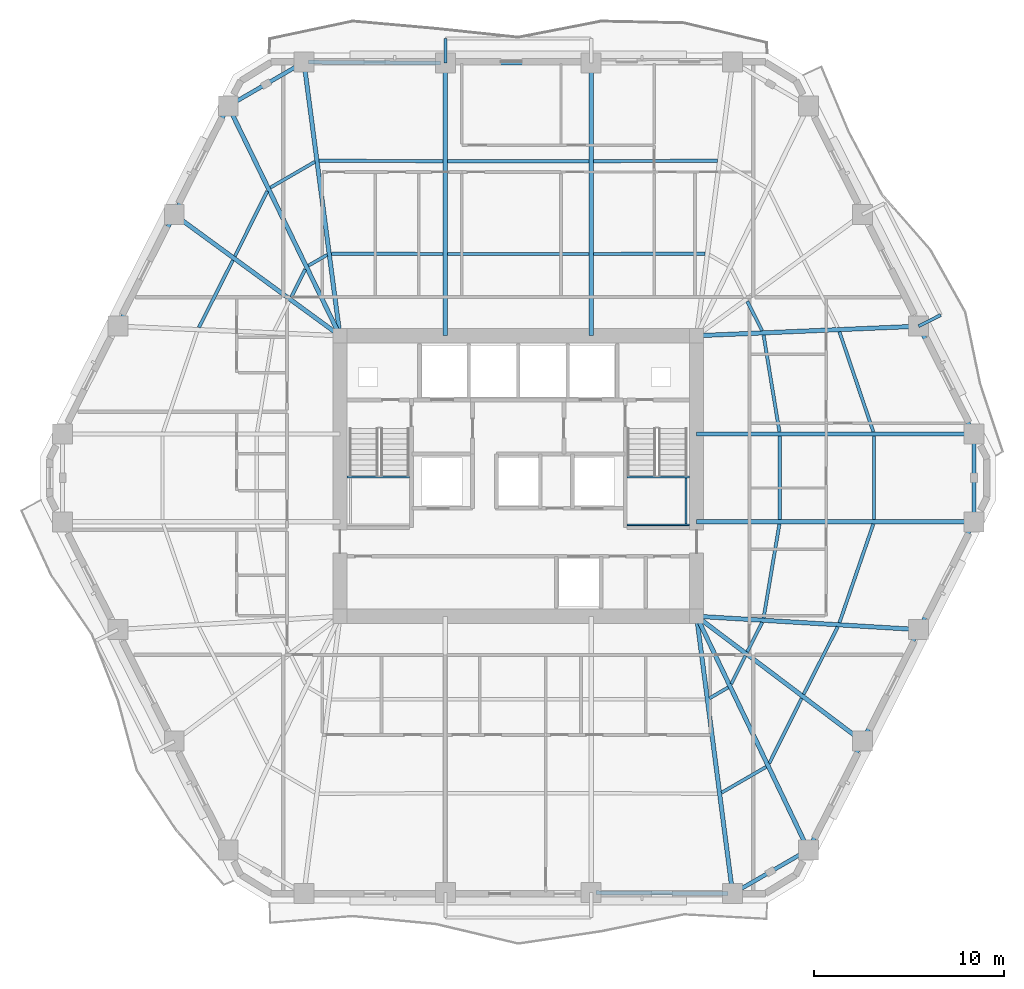
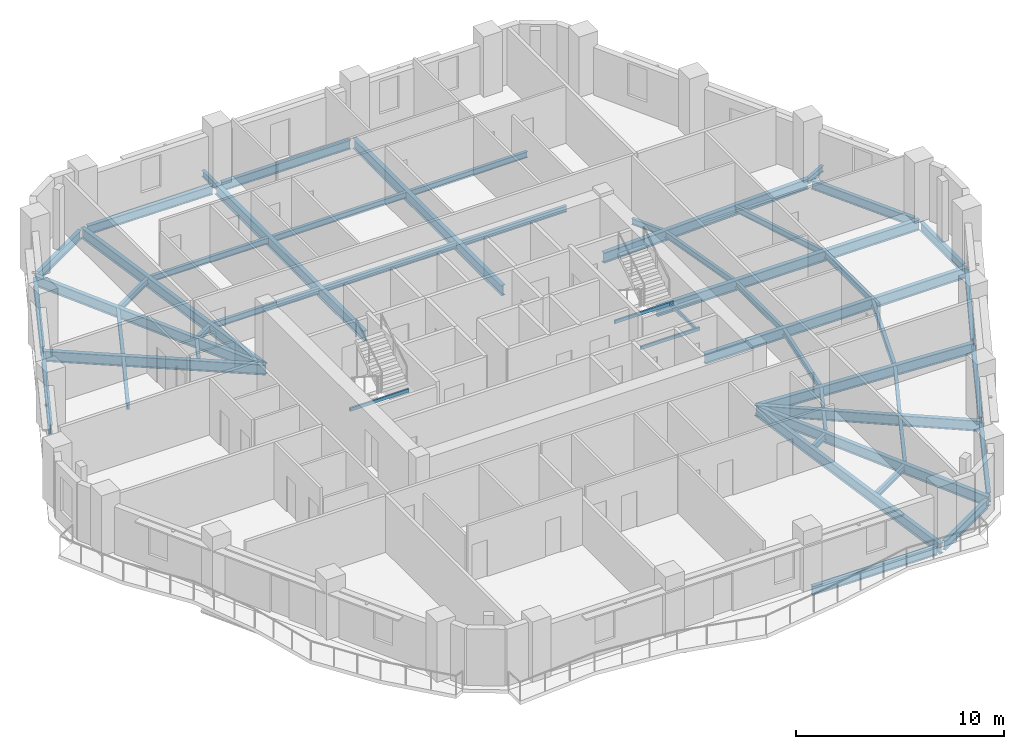
# One storey, part 2 of 12: 54 beams.
"""IFC4 building model written with IfcOpenShell, lengths in metres."""

import ifcopenshell
import ifcopenshell.guid

model = None  # the IFC model being written
_history = None  # IfcOwnerHistory: only IFC2X3 demands one
_inside = {}  # id of a spatial element -> (the spatial element, [elements in it])
_under = {}  # id of a project, library or spatial element -> (it, [spatial elements below it])
_declared = {}  # id of a project -> (the project, [libraries it declares])
_typed = {}  # id of a type object -> (the type object, [elements of that type])
_made_of = {}  # id of a material, layer set ... -> (it, [elements and type objects made of it])


def new_model(schema):
    """Start an empty IFC model of exactly this schema.

    Asked for "IFC4X3", IfcOpenShell would pick the latest addendum, in which some entities
    have other attributes; the version numbers below select the first issue.
    IFC2X3 requires an IfcOwnerHistory on every rooted entity: one is made here for all.
    """
    global model, _history
    if schema == "IFC4X3":
        model = ifcopenshell.file(schema_version=(4, 3, 0, 0))
    else:
        model = ifcopenshell.file(schema=schema)
    _inside.clear()
    _under.clear()
    _declared.clear()
    _typed.clear()
    _made_of.clear()
    _history = None
    if model.schema == "IFC2X3":
        org = make("IfcOrganization", Name="unknown")
        user = make(
            "IfcPersonAndOrganization",
            ThePerson=make("IfcPerson", FamilyName="unknown"),
            TheOrganization=org,
        )
        app = make(
            "IfcApplication",
            ApplicationDeveloper=org,
            Version="unknown",
            ApplicationFullName="unknown",
            ApplicationIdentifier="unknown",
        )
        _history = make(
            "IfcOwnerHistory",
            OwningUser=user,
            OwningApplication=app,
            ChangeAction="ADDED",
            CreationDate=0,
        )
    return model


def make(cls, **values):
    """One entity of the class cls with the attributes given. An attribute that is None is left unset."""
    return model.create_entity(
        cls, **{name: value for name, value in values.items() if value is not None}
    )


def rooted(cls, **values):
    """An entity with a GlobalId (a new one), such as an element, a storey or a relation."""
    return make(cls, GlobalId=ifcopenshell.guid.new(), OwnerHistory=_history, **values)


def si_unit(unit_type, name, prefix=None):
    """IfcSIUnit, for example si_unit("LENGTHUNIT", "METRE", prefix="MILLI")."""
    return make("IfcSIUnit", UnitType=unit_type, Prefix=prefix, Name=name)


def assignment(units):
    """IfcUnitAssignment: the units of a project."""
    return None if units is None else make("IfcUnitAssignment", Units=units)


def point(xyz):
    """IfcCartesianPoint."""
    return None if xyz is None else make("IfcCartesianPoint", Coordinates=xyz)


def direction(xyz):
    """IfcDirection."""
    return None if xyz is None else make("IfcDirection", DirectionRatios=xyz)


def frame(location, z_axis=None, x_axis=None):
    """IfcAxis2Placement3D, a coordinate frame: its origin and axes. An axis left out is left unset."""
    return make(
        "IfcAxis2Placement3D",
        Location=point(location),
        Axis=direction(z_axis),
        RefDirection=direction(x_axis),
    )


def frame_2d(location, x_axis=None):
    """IfcAxis2Placement2D, a coordinate frame in the plane: its origin and x axis."""
    return make(
        "IfcAxis2Placement2D", Location=point(location), RefDirection=direction(x_axis)
    )


def origin():
    """The frame at (0, 0, 0) with its axes left unset."""
    return frame((0.0, 0.0, 0.0))


def origin_2d():
    """The frame at (0, 0) in the plane with its x axis left unset."""
    return frame_2d((0.0, 0.0))


def place(relative_to, where):
    """IfcLocalPlacement: puts the frame where relative to a parent placement (None: the world)."""
    return make(
        "IfcLocalPlacement", PlacementRelTo=relative_to, RelativePlacement=where
    )


def context(
    kind, dimensions, precision=None, world=None, true_north=None, identifier=None
):
    """IfcGeometricRepresentationContext, for example the 3D "Model" context."""
    return make(
        "IfcGeometricRepresentationContext",
        ContextIdentifier=identifier,
        ContextType=kind,
        CoordinateSpaceDimension=dimensions,
        Precision=precision,
        WorldCoordinateSystem=world,
        TrueNorth=true_north,
    )


def subcontext(parent, identifier, kind, view, scale=None):
    """IfcGeometricRepresentationSubContext, for example "Body" below "Model"."""
    return make(
        "IfcGeometricRepresentationSubContext",
        ContextIdentifier=identifier,
        ContextType=kind,
        ParentContext=parent,
        TargetScale=scale,
        TargetView=view,
    )


def project(units=None, contexts=None):
    """IfcProject with its units and contexts."""
    return rooted(
        "IfcProject",
        Name="project",
        RepresentationContexts=contexts,
        UnitsInContext=assignment(units),
    )


def spatial(cls, under=None, at=None, **own):
    """A site, building, storey or space (cls), placed at a placement, below another one or the project."""
    s = rooted(cls, ObjectPlacement=at, **own)
    if under is not None:
        _under.setdefault(under.id(), (under, []))[1].append(s)
    return s


def profile(cls, at=None, kind="AREA", **sizes):
    """A parametric profile (cls). Its sizes go by their IFC names, for example OverallWidth=200.0."""
    return make(cls, ProfileType=kind, Position=at, **sizes)


def hollow_rectangle(**sizes):
    """IfcRectangleHollowProfileDef."""
    return profile("IfcRectangleHollowProfileDef", **sizes)


def i_section(**sizes):
    """IfcIShapeProfileDef."""
    return profile("IfcIShapeProfileDef", **sizes)


def extrude(swept, where, along, depth):
    """IfcExtrudedAreaSolid: the profile swept, set in the frame where, extruded along a direction by depth."""
    return make(
        "IfcExtrudedAreaSolid",
        SweptArea=swept,
        Position=where,
        ExtrudedDirection=direction(along),
        Depth=depth,
    )


def shape(context_of_items, identifier, shape_type, items):
    """IfcShapeRepresentation: the items that make up one representation, for example the "Body"."""
    return make(
        "IfcShapeRepresentation",
        ContextOfItems=context_of_items,
        RepresentationIdentifier=identifier,
        RepresentationType=shape_type,
        Items=items,
    )


def material(Name=None, Category=None):
    """IfcMaterial."""
    return make("IfcMaterial", Name=Name, Category=Category)


def material_profile(
    of_material, cross_section, Name=None, Category=None, Priority=None
):
    """IfcMaterialProfile: a cross section and its material."""
    return make(
        "IfcMaterialProfile",
        Name=Name,
        Material=of_material,
        Profile=cross_section,
        Priority=Priority,
        Category=Category,
    )


def profile_set(profiles, Name=None, composite=None):
    """IfcMaterialProfileSet."""
    return make(
        "IfcMaterialProfileSet",
        Name=Name,
        MaterialProfiles=profiles,
        CompositeProfile=composite,
    )


def made_of(thing, what):
    """Note that an element or type object is made of a material, layer set ...; save() writes the relation."""
    if what is not None:
        _made_of.setdefault(what.id(), (what, []))[1].append(thing)
    return thing


def type_object(cls, material=None, **own):
    """A type object (cls), such as IfcWallType, which elements share."""
    return made_of(rooted(cls, **own), material)


def element(
    cls,
    number,
    at=None,
    inside=None,
    cuts=None,
    type_object=None,
    material=None,
    context=None,
    identifier="Body",
    shape_type=None,
    held_by="IfcProductDefinitionShape",
    body=None,
    shapes=None,
    **own,
):
    """One element of the class cls, such as IfcWall. Its Tag is "e" and its number.

    at: its placement. inside: the storey or other place that contains it. cuts: it is an
    opening in that element (IfcRelVoidsElement). A single representation is given by context,
    identifier, shape_type and body (its items); several are given by shapes. held_by: the class
    of the entity that holds the representations. save() writes the other relations.
    """
    e = rooted(cls, Tag="e%d" % number, ObjectPlacement=at, **own)
    if body is not None:
        shapes = [shape(context, identifier, shape_type, body)]
    if shapes is not None:
        e.Representation = make(held_by, Representations=shapes)
    if inside is not None:
        _inside.setdefault(inside.id(), (inside, []))[1].append(e)
    if cuts is not None:
        rooted(
            "IfcRelVoidsElement", RelatingBuildingElement=cuts, RelatedOpeningElement=e
        )
    if type_object is not None:
        _typed.setdefault(type_object.id(), (type_object, []))[1].append(e)
    return made_of(e, material)


def aggregate(whole, parts):
    """IfcRelAggregates: a whole, such as a stair, and the parts it consists of."""
    return rooted("IfcRelAggregates", RelatingObject=whole, RelatedObjects=parts)


def save(model, path):
    """Write the relations noted so far, then the file.

    IfcRelAggregates (storeys below a building ...), IfcRelContainedInSpatialStructure (elements
    in a storey), IfcRelDefinesByType, IfcRelAssociatesMaterial and IfcRelDeclares: one each for
    every whole, place, type object, material and project.
    """
    for whole, parts in _under.values():
        aggregate(whole, parts)
    for where, things in _inside.values():
        rooted(
            "IfcRelContainedInSpatialStructure",
            RelatedElements=things,
            RelatingStructure=where,
        )
    for kind, things in _typed.values():
        rooted("IfcRelDefinesByType", RelatedObjects=things, RelatingType=kind)
    for what, things in _made_of.values():
        rooted("IfcRelAssociatesMaterial", RelatedObjects=things, RelatingMaterial=what)
    for by, libraries in _declared.values():
        rooted("IfcRelDeclares", RelatingContext=by, RelatedDefinitions=libraries)
    model.write(path)


model = new_model("IFC4")

# Units and contexts
model_context = context("Model", 3, precision=1e-05, world=origin(), true_north=direction((0.0, 1.0)))
body_context = subcontext(model_context, "Body", "Model", "MODEL_VIEW")
ifc_project = project(units=[si_unit("LENGTHUNIT", "METRE"), si_unit("AREAUNIT", "SQUARE_METRE"), si_unit("VOLUMEUNIT", "CUBIC_METRE"), si_unit("PLANEANGLEUNIT", "RADIAN"), si_unit("MASSUNIT", "GRAM", prefix="KILO")], contexts=[model_context])

# Site, building, storey
site_placement = place(None, origin())
site = spatial("IfcSite", under=ifc_project, at=site_placement, CompositionType="ELEMENT")
building_placement = place(site_placement, origin())
building = spatial("IfcBuilding", under=site, at=building_placement, Name="Cinnabar Lancet Tower", CompositionType="ELEMENT")
storey_placement = place(building_placement, frame((0.0, 0.0, 112.60009765625)))
storey = spatial("IfcBuildingStorey", under=building, at=storey_placement, Name="L29", CompositionType="ELEMENT", Elevation=112.60009765625)

# Beams
ifc_material_1 = material(Name="Structural steel S355", Category="steel")
ifc_material_profile_1 = material_profile(ifc_material_1, i_section(OverallWidth=0.17138671875, OverallDepth=0.35498046875, WebThickness=0.00732421875, FlangeThickness=0.011474609375, FilletRadius=0.01025390625, at=origin_2d()), Name="UKB 356x171x51")
ifc_profile_set_1 = profile_set([ifc_material_profile_1], Name="Structural steel S355")
beam_type_1 = type_object("IfcBeamType", Name="STR-BM-JST-356", PredefinedType="JOIST", material=ifc_profile_set_1)
beam_1_placement = place(storey_placement, frame((43.093994140625, 9.251953125, -0.38720703125), z_axis=(0.865172906898, 0.501473669469, 0.0), x_axis=(-0.501473669469, 0.865172906898, 0.0)))
element("IfcBeam", 1, at=beam_1_placement, inside=storey, type_object=beam_type_1, Name="L29 Secondary Floor Joist 15", PredefinedType="JOIST", context=body_context, shape_type="SweptSolid", body=[
    extrude(i_section(OverallWidth=0.17138671875, OverallDepth=0.35498046875, WebThickness=0.00732421875, FlangeThickness=0.011474609375, FilletRadius=0.01025390625, at=origin_2d()), origin(), (0.0, 0.0, 1.0), 2.705810546875),
])
beam_2_placement = place(storey_placement, frame((42.449951171875, 14.2109375, -0.38720703125), z_axis=(0.865055308165, 0.501676503154, 0.0), x_axis=(-0.501676503154, 0.865055308165, 0.0)))
element("IfcBeam", 2, at=beam_2_placement, inside=storey, type_object=beam_type_1, Name="L29 Secondary Floor Joist 16", PredefinedType="JOIST", context=body_context, shape_type="SweptSolid", body=[
    extrude(i_section(OverallWidth=0.17138671875, OverallDepth=0.35498046875, WebThickness=0.00732421875, FlangeThickness=0.011474609375, FilletRadius=0.01025390625, at=origin_2d()), origin(), (0.0, 0.0, 1.0), 1.14208984375),
])
beam_3_placement = place(storey_placement, frame((45.59912109375, 10.7958984375, -0.38720703125), z_axis=(0.445295120803, 0.895383859241, 0.0), x_axis=(-0.895383859241, 0.445295120803, 0.0)))
element("IfcBeam", 3, at=beam_3_placement, inside=storey, type_object=beam_type_1, Name="L29 Secondary Floor Joist 17", PredefinedType="JOIST", context=body_context, shape_type="SweptSolid", body=[
    extrude(i_section(OverallWidth=0.17138671875, OverallDepth=0.35498046875, WebThickness=0.00732421875, FlangeThickness=0.011474609375, FilletRadius=0.01025390625, at=origin_2d()), origin(), (0.0, 0.0, 1.0), 3.81982421875),
])
beam_4_placement = place(storey_placement, frame((43.60205078125, 14.970947265625, -0.38720703125), z_axis=(0.44543923568, 0.895312173109, 0.0), x_axis=(-0.895312173109, 0.44543923568, 0.0)))
element("IfcBeam", 4, at=beam_4_placement, inside=storey, type_object=beam_type_1, Name="L29 Secondary Floor Joist 18", PredefinedType="JOIST", context=body_context, shape_type="SweptSolid", body=[
    extrude(i_section(OverallWidth=0.17138671875, OverallDepth=0.35498046875, WebThickness=0.00732421875, FlangeThickness=0.011474609375, FilletRadius=0.01025390625, at=origin_2d()), origin(), (0.0, 0.0, 1.0), 1.65185546875),
])
beam_5_placement = place(storey_placement, frame((47.404052734375, 14.424072265625, -0.38720703125), z_axis=(0.450706028652, 0.892672434736, 0.0), x_axis=(-0.892672434736, 0.450706028652, 0.0)))
element("IfcBeam", 5, at=beam_5_placement, inside=storey, type_object=beam_type_1, Name="L29 Secondary Floor Joist 19", PredefinedType="JOIST", context=body_context, shape_type="SweptSolid", body=[
    extrude(i_section(OverallWidth=0.17138671875, OverallDepth=0.35498046875, WebThickness=0.00732421875, FlangeThickness=0.011474609375, FilletRadius=0.01025390625, at=origin_2d()), origin(), (0.0, 0.0, 1.0), 3.966796875),
])
beam_6_placement = place(storey_placement, frame((44.44091796875, 16.657958984375, -0.38720703125), z_axis=(0.450874341268, 0.892587434589, 0.0), x_axis=(-0.892587434589, 0.450874341268, 0.0)))
element("IfcBeam", 6, at=beam_6_placement, inside=storey, type_object=beam_type_1, Name="L29 Secondary Floor Joist 20", PredefinedType="JOIST", context=body_context, shape_type="SweptSolid", body=[
    extrude(i_section(OverallWidth=0.17138671875, OverallDepth=0.35498046875, WebThickness=0.00732421875, FlangeThickness=0.011474609375, FilletRadius=0.01025390625, at=origin_2d()), origin(), (0.0, 0.0, 1.0), 1.732177734375),
])
beam_7_placement = place(storey_placement, frame((49.287109375, 18.18798828125, -0.38720703125), z_axis=(0.324639458548, 0.945837841257, 0.0), x_axis=(-0.945837841257, 0.324639458548, 0.0)))
element("IfcBeam", 7, at=beam_7_placement, inside=storey, type_object=beam_type_1, Name="L29 Secondary Floor Joist 21", PredefinedType="JOIST", context=body_context, shape_type="SweptSolid", body=[
    extrude(i_section(OverallWidth=0.17138671875, OverallDepth=0.35498046875, WebThickness=0.00732421875, FlangeThickness=0.011474609375, FilletRadius=0.01025390625, at=origin_2d()), origin(), (0.0, 0.0, 1.0), 5.486083984375),
])
beam_8_placement = place(storey_placement, frame((45.297119140625, 18.427978515625, -0.38720703125), z_axis=(0.165937104691, 0.986136338082, 0.0), x_axis=(-0.986136338082, 0.165937104691, 0.0)))
element("IfcBeam", 8, at=beam_8_placement, inside=storey, type_object=beam_type_1, Name="L29 Secondary Floor Joist 22", PredefinedType="JOIST", context=body_context, shape_type="SweptSolid", body=[
    extrude(i_section(OverallWidth=0.17138671875, OverallDepth=0.35498046875, WebThickness=0.00732421875, FlangeThickness=0.011474609375, FilletRadius=0.01025390625, at=origin_2d()), origin(), (0.0, 0.0, 1.0), 5.0185546875),
])
for number, where, z_axis, x_axis, name in (
    (9, (51.10693359375, 23.60498046875, -0.38720703125), (0.0, 1.0, 0.0), (-1.0, 0.0, 0.0), "L29 Secondary Floor Joist 23"),
    (10, (46.14990234375, 23.60498046875, -0.38720703125), (0.0, 1.0, 0.0), (-1.0, 0.0, 0.0), "L29 Secondary Floor Joist 24"),
):
    element("IfcBeam", number, at=place(storey_placement, frame(where, z_axis=z_axis, x_axis=x_axis)), inside=storey, type_object=beam_type_1, Name=name, PredefinedType="JOIST", context=body_context, shape_type="SweptSolid", body=[
        extrude(i_section(OverallWidth=0.17138671875, OverallDepth=0.35498046875, WebThickness=0.00732421875, FlangeThickness=0.011474609375, FilletRadius=0.01025390625, at=origin_2d()), origin(), (0.0, 0.0, 1.0), 4.39013671875),
    ])
beam_9_placement = place(storey_placement, frame((51.069091796875, 28.222900390625, -0.38720703125), z_axis=(-0.321063338019, 0.947057724207, 0.0), x_axis=(-0.947057724207, -0.321063338019, 0.0)))
element("IfcBeam", 11, at=beam_9_placement, inside=storey, type_object=beam_type_1, Name="L29 Secondary Floor Joist 25", PredefinedType="JOIST", context=body_context, shape_type="SweptSolid", body=[
    extrude(i_section(OverallWidth=0.17138671875, OverallDepth=0.35498046875, WebThickness=0.00732421875, FlangeThickness=0.011474609375, FilletRadius=0.01025390625, at=origin_2d()), origin(), (0.0, 0.0, 1.0), 5.553955078125),
])
beam_10_placement = place(storey_placement, frame((46.131103515625, 28.222900390625, -0.38720703125), z_axis=(-0.161719098977, 0.986836832017, 0.0), x_axis=(-0.986836832017, -0.161719098977, 0.0)))
element("IfcBeam", 12, at=beam_10_placement, inside=storey, type_object=beam_type_1, Name="L29 Secondary Floor Joist 26", PredefinedType="JOIST", context=body_context, shape_type="SweptSolid", body=[
    extrude(i_section(OverallWidth=0.17138671875, OverallDepth=0.35498046875, WebThickness=0.00732421875, FlangeThickness=0.011474609375, FilletRadius=0.01025390625, at=origin_2d()), origin(), (0.0, 0.0, 1.0), 5.156982421875),
])
beam_11_placement = place(storey_placement, frame((45.221923828125, 33.537109375, -0.38720703125), z_axis=(-0.450931068976, 0.892558777354, 0.0), x_axis=(-0.892558777354, -0.450931068976, 0.0)))
element("IfcBeam", 13, at=beam_11_placement, inside=storey, type_object=beam_type_1, Name="L29 Secondary Floor Joist 28", PredefinedType="JOIST", context=body_context, shape_type="SweptSolid", body=[
    extrude(i_section(OverallWidth=0.17138671875, OverallDepth=0.35498046875, WebThickness=0.00732421875, FlangeThickness=0.011474609375, FilletRadius=0.01025390625, at=origin_2d()), origin(), (0.0, 0.0, 1.0), 1.73193359375),
])
beam_12_placement = place(storey_placement, frame((42.8720703125, 42.48095703125, -0.38720703125), z_axis=(-0.999987991898, -0.004900618269, 0.0), x_axis=(0.004900618269, -0.999987991898, 0.0)))
element("IfcBeam", 14, at=beam_12_placement, inside=storey, type_object=beam_type_1, Name="L29 Secondary Floor Joist 33", PredefinedType="JOIST", context=body_context, shape_type="SweptSolid", body=[
    extrude(i_section(OverallWidth=0.17138671875, OverallDepth=0.35498046875, WebThickness=0.00732421875, FlangeThickness=0.011474609375, FilletRadius=0.01025390625, at=origin_2d()), origin(), (0.0, 0.0, 1.0), 6.526123046875),
])
beam_13_placement = place(storey_placement, frame((42.22802734375, 37.591064453125, -0.38720703125), z_axis=(-0.999996247906, -0.002739374605, 0.0), x_axis=(0.002739374605, -0.999996247906, 0.0)))
element("IfcBeam", 15, at=beam_13_placement, inside=storey, type_object=beam_type_1, Name="L29 Secondary Floor Joist 34", PredefinedType="JOIST", context=body_context, shape_type="SweptSolid", body=[
    extrude(i_section(OverallWidth=0.17138671875, OverallDepth=0.35498046875, WebThickness=0.00732421875, FlangeThickness=0.011474609375, FilletRadius=0.01025390625, at=origin_2d()), origin(), (0.0, 0.0, 1.0), 5.882080078125),
])
for number, where, z_axis, x_axis, name in (
    (16, (36.117919921875, 42.447998046875, -0.38720703125), (-1.0, 0.0, 0.0), (0.0, -1.0, 0.0), "L29 Secondary Floor Joist 35"),
    (17, (36.117919921875, 37.574951171875, -0.38720703125), (-1.0, 0.0, 0.0), (0.0, -1.0, 0.0), "L29 Secondary Floor Joist 36"),
):
    element("IfcBeam", number, at=place(storey_placement, frame(where, z_axis=z_axis, x_axis=x_axis)), inside=storey, type_object=beam_type_1, Name=name, PredefinedType="JOIST", context=body_context, shape_type="SweptSolid", body=[
        extrude(i_section(OverallWidth=0.17138671875, OverallDepth=0.35498046875, WebThickness=0.00732421875, FlangeThickness=0.011474609375, FilletRadius=0.01025390625, at=origin_2d()), origin(), (0.0, 0.0, 1.0), 7.43603515625),
    ])
beam_14_placement = place(storey_placement, frame((28.4541015625, 42.448974609375, -0.38720703125), z_axis=(-0.999987991898, 0.004900618269, 0.0), x_axis=(-0.004900618269, -0.999987991898, 0.0)))
element("IfcBeam", 18, at=beam_14_placement, inside=storey, type_object=beam_type_1, Name="L29 Secondary Floor Joist 37", PredefinedType="JOIST", context=body_context, shape_type="SweptSolid", body=[
    extrude(i_section(OverallWidth=0.17138671875, OverallDepth=0.35498046875, WebThickness=0.00732421875, FlangeThickness=0.011474609375, FilletRadius=0.01025390625, at=origin_2d()), origin(), (0.0, 0.0, 1.0), 6.526123046875),
])
beam_15_placement = place(storey_placement, frame((28.4541015625, 37.574951171875, -0.38720703125), z_axis=(-0.999996247906, 0.002739374605, 0.0), x_axis=(-0.002739374605, -0.999996247906, 0.0)))
element("IfcBeam", 19, at=beam_15_placement, inside=storey, type_object=beam_type_1, Name="L29 Secondary Floor Joist 38", PredefinedType="JOIST", context=body_context, shape_type="SweptSolid", body=[
    extrude(i_section(OverallWidth=0.17138671875, OverallDepth=0.35498046875, WebThickness=0.00732421875, FlangeThickness=0.011474609375, FilletRadius=0.01025390625, at=origin_2d()), origin(), (0.0, 0.0, 1.0), 5.882080078125),
])
beam_16_placement = place(storey_placement, frame((21.7060546875, 42.419921875, -0.38720703125), z_axis=(-0.865172906898, -0.501473669469, 0.0), x_axis=(0.501473669469, -0.865172906898, 0.0)))
element("IfcBeam", 20, at=beam_16_placement, inside=storey, type_object=beam_type_1, Name="L29 Secondary Floor Joist 39", PredefinedType="JOIST", context=body_context, shape_type="SweptSolid", body=[
    extrude(i_section(OverallWidth=0.17138671875, OverallDepth=0.35498046875, WebThickness=0.00732421875, FlangeThickness=0.011474609375, FilletRadius=0.01025390625, at=origin_2d()), origin(), (0.0, 0.0, 1.0), 2.705810546875),
])
beam_17_placement = place(storey_placement, frame((22.35009765625, 37.529052734375, -0.38720703125), z_axis=(-0.865055308165, -0.501676503154, 0.0), x_axis=(0.501676503154, -0.865055308165, 0.0)))
element("IfcBeam", 21, at=beam_17_placement, inside=storey, type_object=beam_type_1, Name="L29 Secondary Floor Joist 40", PredefinedType="JOIST", context=body_context, shape_type="SweptSolid", body=[
    extrude(i_section(OverallWidth=0.17138671875, OverallDepth=0.35498046875, WebThickness=0.00732421875, FlangeThickness=0.011474609375, FilletRadius=0.01025390625, at=origin_2d()), origin(), (0.0, 0.0, 1.0), 1.14208984375),
])
beam_18_placement = place(storey_placement, frame((19.200927734375, 40.876953125, -0.38720703125), z_axis=(-0.445116798807, -0.895472520751, 0.0), x_axis=(0.895472520751, -0.445116798807, 0.0)))
element("IfcBeam", 22, at=beam_18_placement, inside=storey, type_object=beam_type_1, Name="L29 Secondary Floor Joist 41", PredefinedType="JOIST", context=body_context, shape_type="SweptSolid", body=[
    extrude(i_section(OverallWidth=0.17138671875, OverallDepth=0.35498046875, WebThickness=0.00732421875, FlangeThickness=0.011474609375, FilletRadius=0.01025390625, at=origin_2d()), origin(), (0.0, 0.0, 1.0), 3.8212890625),
])
beam_19_placement = place(storey_placement, frame((21.198974609375, 36.77001953125, -0.38720703125), z_axis=(-0.445795466264, -0.895134851438, 0.0), x_axis=(0.895134851438, -0.445795466264, 0.0)))
element("IfcBeam", 23, at=beam_19_placement, inside=storey, type_object=beam_type_1, Name="L29 Secondary Floor Joist 42", PredefinedType="JOIST", context=body_context, shape_type="SweptSolid", body=[
    extrude(i_section(OverallWidth=0.17138671875, OverallDepth=0.35498046875, WebThickness=0.00732421875, FlangeThickness=0.011474609375, FilletRadius=0.01025390625, at=origin_2d()), origin(), (0.0, 0.0, 1.0), 1.6533203125),
])
beam_20_placement = place(storey_placement, frame((17.39599609375, 37.2490234375, -0.38720703125), z_axis=(-0.450656035687, -0.892697674187, 0.0), x_axis=(0.892697674187, -0.450656035687, 0.0)))
element("IfcBeam", 24, at=beam_20_placement, inside=storey, type_object=beam_type_1, Name="L29 Secondary Floor Joist 43", PredefinedType="JOIST", context=body_context, shape_type="SweptSolid", body=[
    extrude(i_section(OverallWidth=0.17138671875, OverallDepth=0.35498046875, WebThickness=0.00732421875, FlangeThickness=0.011474609375, FilletRadius=0.01025390625, at=origin_2d()), origin(), (0.0, 0.0, 1.0), 3.9677734375),
])
ifc_material_2 = material(Name="Structural steel S355", Category="steel")
ifc_material_profile_2 = material_profile(ifc_material_2, hollow_rectangle(XDim=0.10009765625, YDim=0.199951171875, WallThickness=0.008056640625, InnerFilletRadius=0.00390625, OuterFilletRadius=0.011962890625, at=origin_2d()), Name="RHS 200x100x8")
ifc_profile_set_2 = profile_set([ifc_material_profile_2], Name="Structural steel S355")
beam_type_2 = type_object("IfcBeamType", Name="STR-BM-LND-203", PredefinedType="BEAM", material=ifc_profile_set_2)
beam_21_placement = place(storey_placement, frame((23.39990234375, 25.844970703125, 1.474853515625), z_axis=(1.0, 0.0, 0.0), x_axis=(0.0, 1.0, 0.0)))
element("IfcBeam", 25, at=beam_21_placement, inside=storey, type_object=beam_type_2, Name="L29 ST-1-L29 Landing Support Beam N", PredefinedType="BEAM", context=body_context, shape_type="SweptSolid", body=[
    extrude(hollow_rectangle(XDim=0.10009765625, YDim=0.199951171875, WallThickness=0.008056640625, InnerFilletRadius=0.00390625, OuterFilletRadius=0.011962890625, at=origin_2d()), origin(), (0.0, 0.0, 1.0), 3.280029296875),
])
for number, where, z_axis, x_axis, name in (
    (26, (38.1201171875, 23.330078125, 1.474853515625), (1.0, 0.0, 0.0), (0.0, 1.0, 0.0), "L29 ST-2-L29 Landing Support Beam S"),
    (27, (38.1201171875, 25.844970703125, 1.474853515625), (1.0, 0.0, 0.0), (0.0, 1.0, 0.0), "L29 ST-2-L29 Landing Support Beam N"),
):
    element("IfcBeam", number, at=place(storey_placement, frame(where, z_axis=z_axis, x_axis=x_axis)), inside=storey, type_object=beam_type_2, Name=name, PredefinedType="BEAM", context=body_context, shape_type="SweptSolid", body=[
        extrude(hollow_rectangle(XDim=0.10009765625, YDim=0.199951171875, WallThickness=0.008056640625, InnerFilletRadius=0.00390625, OuterFilletRadius=0.011962890625, at=origin_2d()), origin(), (0.0, 0.0, 1.0), 3.27978515625),
    ])
beam_22_placement = place(storey_placement, frame((41.219970703125, 23.3798828125, 1.474853515625), z_axis=(0.0, 1.0, 0.0), x_axis=(-1.0, 0.0, 0.0)))
element("IfcBeam", 28, at=beam_22_placement, inside=storey, type_object=beam_type_2, Name="L29 ST-2-L29 Landing Side Trimmer Beam", PredefinedType="BEAM", context=body_context, shape_type="SweptSolid", body=[
    extrude(hollow_rectangle(XDim=0.10009765625, YDim=0.199951171875, WallThickness=0.008056640625, InnerFilletRadius=0.00390625, OuterFilletRadius=0.011962890625, at=origin_2d()), origin(), (0.0, 0.0, 1.0), 2.4150390625),
])
ifc_material_3 = material(Name="Structural steel S355", Category="steel")
ifc_material_profile_3 = material_profile(ifc_material_3, i_section(OverallWidth=0.209228515625, OverallDepth=0.533203125, WebThickness=0.010009765625, FlangeThickness=0.015625, FilletRadius=0.0126953125, at=origin_2d()), Name="UKB 533x210x92")
ifc_profile_set_3 = profile_set([ifc_material_profile_3], Name="Structural steel S355")
beam_type_3 = type_object("IfcBeamType", Name="STR-BM-SPN-533", PredefinedType="SPANDREL", material=ifc_profile_set_3)
beam_23_placement = place(storey_placement, frame((36.48193359375, 3.989990234375, -0.47705078125), z_axis=(0.999974980359, -0.007073800628, 0.0), x_axis=(0.007073800628, 0.999974980359, 0.0)))
element("IfcBeam", 29, at=beam_23_placement, inside=storey, type_object=beam_type_3, Name="L29 Perimeter Spandrel 3", PredefinedType="SPANDREL", context=body_context, shape_type="SweptSolid", body=[
    extrude(i_section(OverallWidth=0.209228515625, OverallDepth=0.533203125, WebThickness=0.010009765625, FlangeThickness=0.015625, FilletRadius=0.0126953125, at=origin_2d()), origin(), (0.0, 0.0, 1.0), 6.937255859375),
])
beam_24_placement = place(storey_placement, frame((43.885009765625, 4.06396484375, -0.47705078125), z_axis=(0.865112299906, 0.501578217781, 0.0), x_axis=(-0.501578217781, 0.865112299906, 0.0)))
element("IfcBeam", 30, at=beam_24_placement, inside=storey, type_object=beam_type_3, Name="L29 Perimeter Spandrel 4", PredefinedType="SPANDREL", context=body_context, shape_type="SweptSolid", body=[
    extrude(i_section(OverallWidth=0.209228515625, OverallDepth=0.533203125, WebThickness=0.010009765625, FlangeThickness=0.015625, FilletRadius=0.0126953125, at=origin_2d()), origin(), (0.0, 0.0, 1.0), 4.101318359375),
])
beam_25_placement = place(storey_placement, frame((47.760009765625, 6.469970703125, -0.47705078125), z_axis=(0.445501068635, 0.89528140707, 0.0), x_axis=(-0.89528140707, 0.445501068635, 0.0)))
element("IfcBeam", 31, at=beam_25_placement, inside=storey, type_object=beam_type_3, Name="L29 Perimeter Spandrel 5", PredefinedType="SPANDREL", context=body_context, shape_type="SweptSolid", body=[
    extrude(i_section(OverallWidth=0.209228515625, OverallDepth=0.533203125, WebThickness=0.010009765625, FlangeThickness=0.015625, FilletRadius=0.0126953125, at=origin_2d()), origin(), (0.0, 0.0, 1.0), 5.87646484375),
])
beam_26_placement = place(storey_placement, frame((50.60205078125, 12.177978515625, -0.47705078125), z_axis=(0.450570325924, 0.892740937449, 0.0), x_axis=(-0.892740937449, 0.450570325924, 0.0)))
element("IfcBeam", 32, at=beam_26_placement, inside=storey, type_object=beam_type_3, Name="L29 Perimeter Spandrel 6", PredefinedType="SPANDREL", context=body_context, shape_type="SweptSolid", body=[
    extrude(i_section(OverallWidth=0.209228515625, OverallDepth=0.533203125, WebThickness=0.010009765625, FlangeThickness=0.015625, FilletRadius=0.0126953125, at=origin_2d()), origin(), (0.0, 0.0, 1.0), 6.07470703125),
])
beam_27_placement = place(storey_placement, frame((53.56591796875, 18.0458984375, -0.47705078125), z_axis=(0.456109733574, 0.889923542187, 0.0), x_axis=(-0.889923542187, 0.456109733574, 0.0)))
element("IfcBeam", 33, at=beam_27_placement, inside=storey, type_object=beam_type_3, Name="L29 Perimeter Spandrel 7", PredefinedType="SPANDREL", context=body_context, shape_type="SweptSolid", body=[
    extrude(i_section(OverallWidth=0.209228515625, OverallDepth=0.533203125, WebThickness=0.010009765625, FlangeThickness=0.015625, FilletRadius=0.0126953125, at=origin_2d()), origin(), (0.0, 0.0, 1.0), 5.869140625),
])
beam_28_placement = place(storey_placement, frame((56.35693359375, 23.740966796875, -0.47705078125), z_axis=(0.0, 1.0, 0.0), x_axis=(-1.0, 0.0, 0.0)))
element("IfcBeam", 34, at=beam_28_placement, inside=storey, type_object=beam_type_3, Name="L29 Perimeter Spandrel 8", PredefinedType="SPANDREL", context=body_context, shape_type="SweptSolid", body=[
    extrude(i_section(OverallWidth=0.209228515625, OverallDepth=0.533203125, WebThickness=0.010009765625, FlangeThickness=0.015625, FilletRadius=0.0126953125, at=origin_2d()), origin(), (0.0, 0.0, 1.0), 4.117919921875),
])
beam_29_placement = place(storey_placement, frame((56.242919921875, 28.3310546875, -0.47705078125), z_axis=(-0.456126618405, 0.889914888055, 0.0), x_axis=(-0.889914888055, -0.456126618405, 0.0)))
element("IfcBeam", 35, at=beam_29_placement, inside=storey, type_object=beam_type_3, Name="L29 Perimeter Spandrel 9", PredefinedType="SPANDREL", context=body_context, shape_type="SweptSolid", body=[
    extrude(i_section(OverallWidth=0.209228515625, OverallDepth=0.533203125, WebThickness=0.010009765625, FlangeThickness=0.015625, FilletRadius=0.0126953125, at=origin_2d()), origin(), (0.0, 0.0, 1.0), 5.868896484375),
])
beam_30_placement = place(storey_placement, frame((35.98193359375, 47.60791015625, -0.47705078125), z_axis=(-1.0, 0.0, 0.0), x_axis=(0.0, -1.0, 0.0)))
element("IfcBeam", 36, at=beam_30_placement, inside=storey, type_object=beam_type_3, Name="L29 Perimeter Spandrel 14", PredefinedType="SPANDREL", context=body_context, shape_type="SweptSolid", body=[
    extrude(i_section(OverallWidth=0.209228515625, OverallDepth=0.533203125, WebThickness=0.010009765625, FlangeThickness=0.015625, FilletRadius=0.0126953125, at=origin_2d()), origin(), (0.0, 0.0, 1.0), 7.163818359375),
])
beam_31_placement = place(storey_placement, frame((28.318115234375, 47.610107421875, -0.47705078125), z_axis=(-0.999975228682, 0.007038609338, 0.0), x_axis=(-0.007038609338, -0.999975228682, 0.0)))
element("IfcBeam", 37, at=beam_31_placement, inside=storey, type_object=beam_type_3, Name="L29 Perimeter Spandrel 15", PredefinedType="SPANDREL", context=body_context, shape_type="SweptSolid", body=[
    extrude(i_section(OverallWidth=0.209228515625, OverallDepth=0.533203125, WebThickness=0.010009765625, FlangeThickness=0.015625, FilletRadius=0.0126953125, at=origin_2d()), origin(), (0.0, 0.0, 1.0), 6.937255859375),
])
beam_32_placement = place(storey_placement, frame((20.9150390625, 47.535888671875, -0.47705078125), z_axis=(-0.865138129765, -0.5015336643, 0.0), x_axis=(0.5015336643, -0.865138129765, 0.0)))
element("IfcBeam", 38, at=beam_32_placement, inside=storey, type_object=beam_type_3, Name="L29 Perimeter Spandrel 16", PredefinedType="SPANDREL", context=body_context, shape_type="SweptSolid", body=[
    extrude(i_section(OverallWidth=0.209228515625, OverallDepth=0.533203125, WebThickness=0.010009765625, FlangeThickness=0.015625, FilletRadius=0.0126953125, at=origin_2d()), origin(), (0.0, 0.0, 1.0), 4.10107421875),
])
beam_33_placement = place(storey_placement, frame((17.0400390625, 45.1298828125, -0.47705078125), z_axis=(-0.445501068635, -0.89528140707, 0.0), x_axis=(0.89528140707, -0.445501068635, 0.0)))
element("IfcBeam", 39, at=beam_33_placement, inside=storey, type_object=beam_type_3, Name="L29 Perimeter Spandrel 17", PredefinedType="SPANDREL", context=body_context, shape_type="SweptSolid", body=[
    extrude(i_section(OverallWidth=0.209228515625, OverallDepth=0.533203125, WebThickness=0.010009765625, FlangeThickness=0.015625, FilletRadius=0.0126953125, at=origin_2d()), origin(), (0.0, 0.0, 1.0), 5.87646484375),
])
beam_34_placement = place(storey_placement, frame((14.197998046875, 39.422119140625, -0.47705078125), z_axis=(-0.450570325924, -0.892740937449, 0.0), x_axis=(0.892740937449, -0.450570325924, 0.0)))
element("IfcBeam", 40, at=beam_34_placement, inside=storey, type_object=beam_type_3, Name="L29 Perimeter Spandrel 18", PredefinedType="SPANDREL", context=body_context, shape_type="SweptSolid", body=[
    extrude(i_section(OverallWidth=0.209228515625, OverallDepth=0.533203125, WebThickness=0.010009765625, FlangeThickness=0.015625, FilletRadius=0.0126953125, at=origin_2d()), origin(), (0.0, 0.0, 1.0), 6.07470703125),
])
ifc_material_4 = material(Name="Structural steel S355", Category="steel")
ifc_material_profile_4 = material_profile(ifc_material_4, i_section(OverallWidth=0.228271484375, OverallDepth=0.607666015625, WebThickness=0.010986328125, FlangeThickness=0.017333984375, FilletRadius=0.0126953125, at=origin_2d()), Name="UKB 610x229x113")
ifc_profile_set_4 = profile_set([ifc_material_profile_4], Name="Structural steel S355")
beam_type_4 = type_object("IfcBeamType", Name="STR-BM-UKB610-113", PredefinedType="BEAM", material=ifc_profile_set_4)
beam_35_placement = place(storey_placement, frame((50.489013671875, 11.955078125, -0.51416015625), z_axis=(-0.798491457835, 0.602006139308, 0.0), x_axis=(-0.602006139308, -0.798491457835, 0.0)))
element("IfcBeam", 41, at=beam_35_placement, inside=storey, type_object=beam_type_4, Name="L29 Corner Collector Girder 2", PredefinedType="BEAM", context=body_context, shape_type="SweptSolid", body=[
    extrude(i_section(OverallWidth=0.228271484375, OverallDepth=0.607666015625, WebThickness=0.010986328125, FlangeThickness=0.017333984375, FilletRadius=0.0126953125, at=origin_2d()), origin(), (0.0, 0.0, 1.0), 10.913330078125),
])
beam_36_placement = place(storey_placement, frame((14.31103515625, 39.64501953125, -0.51416015625), z_axis=(0.807289993592, -0.590154951048, 0.0), x_axis=(0.590154951048, 0.807289993592, 0.0)))
element("IfcBeam", 42, at=beam_36_placement, inside=storey, type_object=beam_type_4, Name="L29 Corner Collector Girder 4", PredefinedType="BEAM", context=body_context, shape_type="SweptSolid", body=[
    extrude(i_section(OverallWidth=0.228271484375, OverallDepth=0.607666015625, WebThickness=0.010986328125, FlangeThickness=0.017333984375, FilletRadius=0.0126953125, at=origin_2d()), origin(), (0.0, 0.0, 1.0), 10.7939453125),
])
beam_37_placement = place(storey_placement, frame((43.6689453125, 3.93896484375, -0.51416015625), z_axis=(-0.12877289353, 0.99167411073, 0.0), x_axis=(-0.99167411073, -0.12877289353, 0.0)))
element("IfcBeam", 43, at=beam_37_placement, inside=storey, type_object=beam_type_4, Name="L29 Primary Floor Girder 4", PredefinedType="BEAM", context=body_context, shape_type="SweptSolid", body=[
    extrude(i_section(OverallWidth=0.228271484375, OverallDepth=0.607666015625, WebThickness=0.010986328125, FlangeThickness=0.017333984375, FilletRadius=0.0126953125, at=origin_2d()), origin(), (0.0, 0.0, 1.0), 14.70849609375),
])
beam_38_placement = place(storey_placement, frame((47.64892578125, 6.24609375, -0.51416015625), z_axis=(-0.431548156881, 0.902089900339, 0.0), x_axis=(-0.902089900339, -0.431548156881, 0.0)))
element("IfcBeam", 44, at=beam_38_placement, inside=storey, type_object=beam_type_4, Name="L29 Primary Floor Girder 5", PredefinedType="BEAM", context=body_context, shape_type="SweptSolid", body=[
    extrude(i_section(OverallWidth=0.228271484375, OverallDepth=0.607666015625, WebThickness=0.010986328125, FlangeThickness=0.017333984375, FilletRadius=0.0126953125, at=origin_2d()), origin(), (0.0, 0.0, 1.0), 13.611572265625),
])
beam_39_placement = place(storey_placement, frame((53.451904296875, 17.823974609375, -0.51416015625), z_axis=(-0.998203272991, 0.059918492897, 0.0), x_axis=(-0.059918492897, -0.998203272991, 0.0)))
element("IfcBeam", 45, at=beam_39_placement, inside=storey, type_object=beam_type_4, Name="L29 Primary Floor Girder 7", PredefinedType="BEAM", context=body_context, shape_type="SweptSolid", body=[
    extrude(i_section(OverallWidth=0.228271484375, OverallDepth=0.607666015625, WebThickness=0.010986328125, FlangeThickness=0.017333984375, FilletRadius=0.0126953125, at=origin_2d()), origin(), (0.0, 0.0, 1.0), 11.697998046875),
])
for number, where, z_axis, x_axis, name in (
    (46, (56.35693359375, 23.490966796875, -0.51416015625), (-1.0, 0.0, 0.0), (0.0, -1.0, 0.0), "L29 Primary Floor Girder 8"),
    (47, (56.35693359375, 28.10888671875, -0.51416015625), (-1.0, 0.0, 0.0), (0.0, -1.0, 0.0), "L29 Primary Floor Girder 9"),
):
    element("IfcBeam", number, at=place(storey_placement, frame(where, z_axis=z_axis, x_axis=x_axis)), inside=storey, type_object=beam_type_4, Name=name, PredefinedType="BEAM", context=body_context, shape_type="SweptSolid", body=[
        extrude(i_section(OverallWidth=0.228271484375, OverallDepth=0.607666015625, WebThickness=0.010986328125, FlangeThickness=0.017333984375, FilletRadius=0.0126953125, at=origin_2d()), origin(), (0.0, 0.0, 1.0), 14.58203125),
    ])
beam_40_placement = place(storey_placement, frame((53.451904296875, 33.77587890625, -0.51416015625), z_axis=(-0.999080941658, -0.042863411158, 0.0), x_axis=(0.042863411158, -0.999080941658, 0.0)))
element("IfcBeam", 48, at=beam_40_placement, inside=storey, type_object=beam_type_4, Name="L29 Primary Floor Girder 10", PredefinedType="BEAM", context=body_context, shape_type="SweptSolid", body=[
    extrude(i_section(OverallWidth=0.228271484375, OverallDepth=0.607666015625, WebThickness=0.010986328125, FlangeThickness=0.017333984375, FilletRadius=0.0126953125, at=origin_2d()), origin(), (0.0, 0.0, 1.0), 11.687744140625),
])
for number, where, z_axis, x_axis, name in (
    (49, (36.23193359375, 47.60791015625, -0.51416015625), (0.0, -1.0, 0.0), (1.0, 0.0, 0.0), "L29 Primary Floor Girder 14"),
    (50, (28.568115234375, 47.60791015625, -0.51416015625), (0.0, -1.0, 0.0), (1.0, 0.0, 0.0), "L29 Primary Floor Girder 15"),
):
    element("IfcBeam", number, at=place(storey_placement, frame(where, z_axis=z_axis, x_axis=x_axis)), inside=storey, type_object=beam_type_4, Name=name, PredefinedType="BEAM", context=body_context, shape_type="SweptSolid", body=[
        extrude(i_section(OverallWidth=0.228271484375, OverallDepth=0.607666015625, WebThickness=0.010986328125, FlangeThickness=0.017333984375, FilletRadius=0.0126953125, at=origin_2d()), origin(), (0.0, 0.0, 1.0), 14.3330078125),
    ])
beam_41_placement = place(storey_placement, frame((21.131103515625, 47.660888671875, -0.51416015625), z_axis=(0.130515881524, -0.991446218748, 0.0), x_axis=(0.991446218748, 0.130515881524, 0.0)))
element("IfcBeam", 51, at=beam_41_placement, inside=storey, type_object=beam_type_4, Name="L29 Primary Floor Girder 16", PredefinedType="BEAM", context=body_context, shape_type="SweptSolid", body=[
    extrude(i_section(OverallWidth=0.228271484375, OverallDepth=0.607666015625, WebThickness=0.010986328125, FlangeThickness=0.017333984375, FilletRadius=0.0126953125, at=origin_2d()), origin(), (0.0, 0.0, 1.0), 14.510009765625),
])
beam_42_placement = place(storey_placement, frame((17.15087890625, 45.35400390625, -0.51416015625), z_axis=(0.437327473227, -0.899302330232, 0.0), x_axis=(0.899302330232, 0.437327473227, 0.0)))
element("IfcBeam", 52, at=beam_42_placement, inside=storey, type_object=beam_type_4, Name="L29 Primary Floor Girder 17", PredefinedType="BEAM", context=body_context, shape_type="SweptSolid", body=[
    extrude(i_section(OverallWidth=0.228271484375, OverallDepth=0.607666015625, WebThickness=0.010986328125, FlangeThickness=0.017333984375, FilletRadius=0.0126953125, at=origin_2d()), origin(), (0.0, 0.0, 1.0), 13.431640625),
])
ifc_material_5 = material(Name="Structural steel S355", Category="steel")
ifc_material_profile_5 = material_profile(ifc_material_5, i_section(OverallWidth=0.17138671875, OverallDepth=0.35498046875, WebThickness=0.00732421875, FlangeThickness=0.011474609375, FilletRadius=0.01025390625, at=origin_2d()), Name="UKB 356x171x51")
ifc_profile_set_5 = profile_set([ifc_material_profile_5], Name="Structural steel S355")
beam_type_5 = type_object("IfcBeamType", Name="STR-BM-WAV-OUT", PredefinedType="BEAM", material=ifc_profile_set_5)
beam_43_placement = place(storey_placement, frame((53.451904296875, 33.77587890625, -0.397216796875), z_axis=(0.892238560088, 0.451564338597, 0.0), x_axis=(-0.451564338597, 0.892238560088, 0.0)))
element("IfcBeam", 53, at=beam_43_placement, inside=storey, type_object=beam_type_5, Name="L29 Face 3 Balcony Outlooker A", PredefinedType="BEAM", context=body_context, shape_type="SweptSolid", body=[
    extrude(i_section(OverallWidth=0.17138671875, OverallDepth=0.35498046875, WebThickness=0.00732421875, FlangeThickness=0.011474609375, FilletRadius=0.01025390625, at=origin_2d()), origin(), (0.0, 0.0, 1.0), 1.30029296875),
])
beam_44_placement = place(storey_placement, frame((28.568115234375, 47.60791015625, -0.397216796875), z_axis=(0.0, 1.0, 0.0), x_axis=(-1.0, 0.0, 0.0)))
element("IfcBeam", 54, at=beam_44_placement, inside=storey, type_object=beam_type_5, Name="L29 Face 4 Balcony Outlooker B", PredefinedType="BEAM", context=body_context, shape_type="SweptSolid", body=[
    extrude(i_section(OverallWidth=0.17138671875, OverallDepth=0.35498046875, WebThickness=0.00732421875, FlangeThickness=0.011474609375, FilletRadius=0.01025390625, at=origin_2d()), origin(), (0.0, 0.0, 1.0), 1.300048828125),
])

save(model, "model.ifc")
